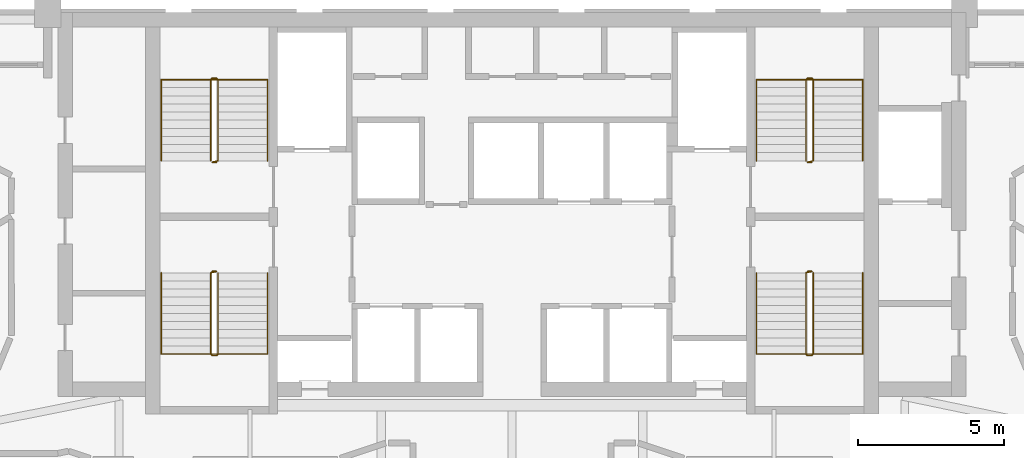
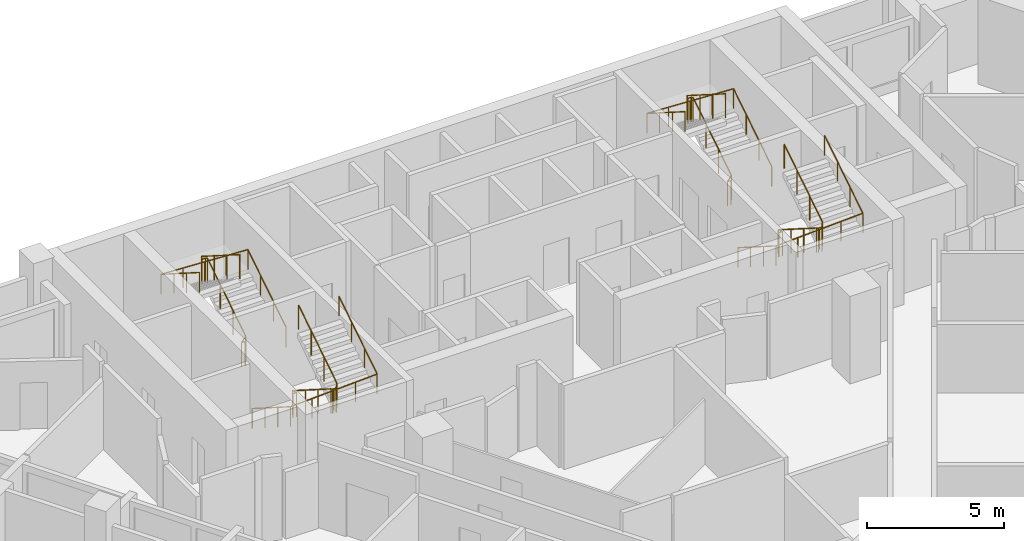
# One storey, part 10 of 10: 8 railings.
"""IFC4 building model written with IfcOpenShell, lengths in metres."""

import ifcopenshell
import ifcopenshell.guid

model = None  # the IFC model being written
_history = None  # IfcOwnerHistory: only IFC2X3 demands one
_inside = {}  # id of a spatial element -> (the spatial element, [elements in it])
_under = {}  # id of a project, library or spatial element -> (it, [spatial elements below it])
_declared = {}  # id of a project -> (the project, [libraries it declares])
_typed = {}  # id of a type object -> (the type object, [elements of that type])
_made_of = {}  # id of a material, layer set ... -> (it, [elements and type objects made of it])


def new_model(schema):
    """Start an empty IFC model of exactly this schema.

    Asked for "IFC4X3", IfcOpenShell would pick the latest addendum, in which some entities
    have other attributes; the version numbers below select the first issue.
    IFC2X3 requires an IfcOwnerHistory on every rooted entity: one is made here for all.
    """
    global model, _history
    if schema == "IFC4X3":
        model = ifcopenshell.file(schema_version=(4, 3, 0, 0))
    else:
        model = ifcopenshell.file(schema=schema)
    _inside.clear()
    _under.clear()
    _declared.clear()
    _typed.clear()
    _made_of.clear()
    _history = None
    if model.schema == "IFC2X3":
        org = make("IfcOrganization", Name="unknown")
        user = make(
            "IfcPersonAndOrganization",
            ThePerson=make("IfcPerson", FamilyName="unknown"),
            TheOrganization=org,
        )
        app = make(
            "IfcApplication",
            ApplicationDeveloper=org,
            Version="unknown",
            ApplicationFullName="unknown",
            ApplicationIdentifier="unknown",
        )
        _history = make(
            "IfcOwnerHistory",
            OwningUser=user,
            OwningApplication=app,
            ChangeAction="ADDED",
            CreationDate=0,
        )
    return model


def make(cls, **values):
    """One entity of the class cls with the attributes given. An attribute that is None is left unset."""
    return model.create_entity(
        cls, **{name: value for name, value in values.items() if value is not None}
    )


def rooted(cls, **values):
    """An entity with a GlobalId (a new one), such as an element, a storey or a relation."""
    return make(cls, GlobalId=ifcopenshell.guid.new(), OwnerHistory=_history, **values)


def si_unit(unit_type, name, prefix=None):
    """IfcSIUnit, for example si_unit("LENGTHUNIT", "METRE", prefix="MILLI")."""
    return make("IfcSIUnit", UnitType=unit_type, Prefix=prefix, Name=name)


def assignment(units):
    """IfcUnitAssignment: the units of a project."""
    return None if units is None else make("IfcUnitAssignment", Units=units)


def point(xyz):
    """IfcCartesianPoint."""
    return None if xyz is None else make("IfcCartesianPoint", Coordinates=xyz)


def direction(xyz):
    """IfcDirection."""
    return None if xyz is None else make("IfcDirection", DirectionRatios=xyz)


def frame(location, z_axis=None, x_axis=None):
    """IfcAxis2Placement3D, a coordinate frame: its origin and axes. An axis left out is left unset."""
    return make(
        "IfcAxis2Placement3D",
        Location=point(location),
        Axis=direction(z_axis),
        RefDirection=direction(x_axis),
    )


def frame_2d(location, x_axis=None):
    """IfcAxis2Placement2D, a coordinate frame in the plane: its origin and x axis."""
    return make(
        "IfcAxis2Placement2D", Location=point(location), RefDirection=direction(x_axis)
    )


def origin():
    """The frame at (0, 0, 0) with its axes left unset."""
    return frame((0.0, 0.0, 0.0))


def origin_2d():
    """The frame at (0, 0) in the plane with its x axis left unset."""
    return frame_2d((0.0, 0.0))


def place(relative_to, where):
    """IfcLocalPlacement: puts the frame where relative to a parent placement (None: the world)."""
    return make(
        "IfcLocalPlacement", PlacementRelTo=relative_to, RelativePlacement=where
    )


def context(
    kind, dimensions, precision=None, world=None, true_north=None, identifier=None
):
    """IfcGeometricRepresentationContext, for example the 3D "Model" context."""
    return make(
        "IfcGeometricRepresentationContext",
        ContextIdentifier=identifier,
        ContextType=kind,
        CoordinateSpaceDimension=dimensions,
        Precision=precision,
        WorldCoordinateSystem=world,
        TrueNorth=true_north,
    )


def subcontext(parent, identifier, kind, view, scale=None):
    """IfcGeometricRepresentationSubContext, for example "Body" below "Model"."""
    return make(
        "IfcGeometricRepresentationSubContext",
        ContextIdentifier=identifier,
        ContextType=kind,
        ParentContext=parent,
        TargetScale=scale,
        TargetView=view,
    )


def project(units=None, contexts=None):
    """IfcProject with its units and contexts."""
    return rooted(
        "IfcProject",
        Name="project",
        RepresentationContexts=contexts,
        UnitsInContext=assignment(units),
    )


def spatial(cls, under=None, at=None, **own):
    """A site, building, storey or space (cls), placed at a placement, below another one or the project."""
    s = rooted(cls, ObjectPlacement=at, **own)
    if under is not None:
        _under.setdefault(under.id(), (under, []))[1].append(s)
    return s


def profile(cls, at=None, kind="AREA", **sizes):
    """A parametric profile (cls). Its sizes go by their IFC names, for example OverallWidth=200.0."""
    return make(cls, ProfileType=kind, Position=at, **sizes)


def circle(**sizes):
    """IfcCircleProfileDef."""
    return profile("IfcCircleProfileDef", **sizes)


def extrude(swept, where, along, depth):
    """IfcExtrudedAreaSolid: the profile swept, set in the frame where, extruded along a direction by depth."""
    return make(
        "IfcExtrudedAreaSolid",
        SweptArea=swept,
        Position=where,
        ExtrudedDirection=direction(along),
        Depth=depth,
    )


def shape(context_of_items, identifier, shape_type, items):
    """IfcShapeRepresentation: the items that make up one representation, for example the "Body"."""
    return make(
        "IfcShapeRepresentation",
        ContextOfItems=context_of_items,
        RepresentationIdentifier=identifier,
        RepresentationType=shape_type,
        Items=items,
    )


def material(Name=None, Category=None):
    """IfcMaterial."""
    return make("IfcMaterial", Name=Name, Category=Category)


def made_of(thing, what):
    """Note that an element or type object is made of a material, layer set ...; save() writes the relation."""
    if what is not None:
        _made_of.setdefault(what.id(), (what, []))[1].append(thing)
    return thing


def type_object(cls, material=None, **own):
    """A type object (cls), such as IfcWallType, which elements share."""
    return made_of(rooted(cls, **own), material)


def element(
    cls,
    number,
    at=None,
    inside=None,
    cuts=None,
    type_object=None,
    material=None,
    context=None,
    identifier="Body",
    shape_type=None,
    held_by="IfcProductDefinitionShape",
    body=None,
    shapes=None,
    **own,
):
    """One element of the class cls, such as IfcWall. Its Tag is "e" and its number.

    at: its placement. inside: the storey or other place that contains it. cuts: it is an
    opening in that element (IfcRelVoidsElement). A single representation is given by context,
    identifier, shape_type and body (its items); several are given by shapes. held_by: the class
    of the entity that holds the representations. save() writes the other relations.
    """
    e = rooted(cls, Tag="e%d" % number, ObjectPlacement=at, **own)
    if body is not None:
        shapes = [shape(context, identifier, shape_type, body)]
    if shapes is not None:
        e.Representation = make(held_by, Representations=shapes)
    if inside is not None:
        _inside.setdefault(inside.id(), (inside, []))[1].append(e)
    if cuts is not None:
        rooted(
            "IfcRelVoidsElement", RelatingBuildingElement=cuts, RelatedOpeningElement=e
        )
    if type_object is not None:
        _typed.setdefault(type_object.id(), (type_object, []))[1].append(e)
    return made_of(e, material)


def aggregate(whole, parts):
    """IfcRelAggregates: a whole, such as a stair, and the parts it consists of."""
    return rooted("IfcRelAggregates", RelatingObject=whole, RelatedObjects=parts)


def save(model, path):
    """Write the relations noted so far, then the file.

    IfcRelAggregates (storeys below a building ...), IfcRelContainedInSpatialStructure (elements
    in a storey), IfcRelDefinesByType, IfcRelAssociatesMaterial and IfcRelDeclares: one each for
    every whole, place, type object, material and project.
    """
    for whole, parts in _under.values():
        aggregate(whole, parts)
    for where, things in _inside.values():
        rooted(
            "IfcRelContainedInSpatialStructure",
            RelatedElements=things,
            RelatingStructure=where,
        )
    for kind, things in _typed.values():
        rooted("IfcRelDefinesByType", RelatedObjects=things, RelatingType=kind)
    for what, things in _made_of.values():
        rooted("IfcRelAssociatesMaterial", RelatedObjects=things, RelatingMaterial=what)
    for by, libraries in _declared.values():
        rooted("IfcRelDeclares", RelatingContext=by, RelatedDefinitions=libraries)
    model.write(path)


model = new_model("IFC4")

# Units and contexts
model_context = context("Model", 3, precision=1e-05, world=origin(), true_north=direction((0.0, 1.0)))
body_context = subcontext(model_context, "Body", "Model", "MODEL_VIEW")
ifc_project = project(units=[si_unit("LENGTHUNIT", "METRE"), si_unit("AREAUNIT", "SQUARE_METRE"), si_unit("VOLUMEUNIT", "CUBIC_METRE"), si_unit("PLANEANGLEUNIT", "RADIAN"), si_unit("MASSUNIT", "GRAM", prefix="KILO")], contexts=[model_context])

# Site, building, storey
site_placement = place(None, origin())
site = spatial("IfcSite", under=ifc_project, at=site_placement, CompositionType="ELEMENT")
building_placement = place(site_placement, origin())
building = spatial("IfcBuilding", under=site, at=building_placement, Name="Calabash Gate Tower", CompositionType="ELEMENT")
storey_placement = place(building_placement, frame((0.0, 0.0, 152.39990234375)))
storey = spatial("IfcBuildingStorey", under=building, at=storey_placement, Name="L35", CompositionType="ELEMENT", Elevation=152.39990234375)

# Railings
ifc_material_1 = material(Name="Black powder-coated steel balusters", Category="steel")
railing_type_1 = type_object("IfcRailingType", Name="Stair guard RL1100", PredefinedType="GUARDRAIL", material=ifc_material_1)
railing_1_placement = place(storey_placement, frame((-10.14990234375, 13.902587890625, 0.0)))
element("IfcRailing", 1, at=railing_1_placement, inside=storey, type_object=railing_type_1, Name="L35 ST1 stair guard 1", PredefinedType="GUARDRAIL", context=body_context, shape_type="SweptSolid", body=[
    extrude(circle(Radius=0.02392578125, at=origin_2d()), frame((0.0, 0.0, 1.076171875), z_axis=(-1.0, 0.0, 0.0), x_axis=(0.0, -1.0, 0.0)), (0.0, 0.0, 1.0), 0.150146484375),
    extrude(circle(Radius=0.02392578125, at=origin_2d()), frame((-0.150146484375, 0.0, 1.076171875), z_axis=(0.735094037398, 0.183997897029, 0.652519371414), x_axis=(-0.242814311512, 0.970072785993, 0.0)), (0.0, 0.0, 1.0), 0.27197265625),
    extrude(circle(Radius=0.02392578125, at=origin_2d()), frame((0.0498046875, 0.050048828125, 1.25341796875), z_axis=(0.0, 0.844041424197, 0.536277982245), x_axis=(-1.0, 0.0, 0.0)), (0.0, 0.0, 1.0), 3.3056640625),
    extrude(circle(Radius=0.02392578125, at=origin_2d()), frame((0.0498046875, 2.840087890625, 3.0263671875), z_axis=(-0.707106781187, 0.707106781187, 0.0), x_axis=(-0.707106781187, -0.707106781187, 0.0)), (0.0, 0.0, 1.0), 0.0703125),
    extrude(circle(Radius=0.02392578125, at=origin_2d()), frame((0.0, 2.889892578125, 3.0263671875), z_axis=(-1.0, 0.0, 0.0), x_axis=(0.0, -1.0, 0.0)), (0.0, 0.0, 1.0), 0.150146484375),
    extrude(circle(Radius=0.02392578125, at=origin_2d()), frame((-0.150146484375, 2.889892578125, 3.0263671875), z_axis=(-0.262321481514, -0.261041864531, 0.929001929653), x_axis=(0.705375805398, -0.708833529934, 0.0)), (0.0, 0.0, 1.0), 0.190673828125),
    extrude(circle(Radius=0.02392578125, at=origin_2d()), frame((-0.2001953125, 2.840087890625, 3.20361328125), z_axis=(0.0, -0.844041424197, 0.536277982245), x_axis=(1.0, 0.0, 0.0)), (0.0, 0.0, 1.0), 3.3056640625),
    extrude(circle(Radius=0.02099609375, at=origin_2d()), origin(), (0.0, 0.0, 1.0), 1.052001953125),
    extrude(circle(Radius=0.02099609375, at=origin_2d()), frame((-0.150146484375, 0.0, 0.0)), (0.0, 0.0, 1.0), 1.052001953125),
    extrude(circle(Radius=0.02099609375, at=origin_2d()), frame((0.0498046875, 0.050048828125, 0.177490234375)), (0.0, 0.0, 1.0), 1.052001953125),
    extrude(circle(Radius=0.02099609375, at=origin_2d()), frame((0.0498046875, 0.97998046875, 0.768310546875)), (0.0, 0.0, 1.0), 1.052001953125),
    extrude(circle(Radius=0.02099609375, at=origin_2d()), frame((0.0498046875, 1.91015625, 1.359375)), (0.0, 0.0, 1.0), 1.052001953125),
    extrude(circle(Radius=0.02099609375, at=origin_2d()), frame((0.0498046875, 2.840087890625, 1.9501953125)), (0.0, 0.0, 1.0), 1.052001953125),
    extrude(circle(Radius=0.02099609375, at=origin_2d()), frame((0.0, 2.889892578125, 1.9501953125)), (0.0, 0.0, 1.0), 1.052001953125),
    extrude(circle(Radius=0.02099609375, at=origin_2d()), frame((-0.150146484375, 2.889892578125, 1.9501953125)), (0.0, 0.0, 1.0), 1.052001953125),
    extrude(circle(Radius=0.02099609375, at=origin_2d()), frame((-0.2001953125, 2.840087890625, 2.12744140625)), (0.0, 0.0, 1.0), 1.052001953125),
    extrude(circle(Radius=0.02099609375, at=origin_2d()), frame((-0.2001953125, 1.91015625, 2.71826171875)), (0.0, 0.0, 1.0), 1.052001953125),
    extrude(circle(Radius=0.02099609375, at=origin_2d()), frame((-0.2001953125, 0.97998046875, 3.309326171875)), (0.0, 0.0, 1.0), 1.052001953125),
    extrude(circle(Radius=0.02099609375, at=origin_2d()), frame((-0.2001953125, 0.050048828125, 3.900146484375)), (0.0, 0.0, 1.0), 1.052001953125),
])
railing_2_placement = place(storey_placement, frame((-10.300048828125, 10.152587890625, 0.0)))
element("IfcRailing", 2, at=railing_2_placement, inside=storey, type_object=railing_type_1, Name="L35 ST2 stair guard 1", PredefinedType="GUARDRAIL", context=body_context, shape_type="SweptSolid", body=[
    extrude(circle(Radius=0.02392578125, at=origin_2d()), frame((0.0, 0.0, 1.076171875), z_axis=(1.0, 0.0, 0.0), x_axis=(0.0, 1.0, 0.0)), (0.0, 0.0, 1.0), 0.150146484375),
    extrude(circle(Radius=0.02392578125, at=origin_2d()), frame((0.150146484375, 0.0, 1.076171875), z_axis=(-0.735506176693, -0.183876544173, 0.652089012751), x_axis=(0.242535625036, -0.970142500145, 0.0)), (0.0, 0.0, 1.0), 0.272216796875),
    extrude(circle(Radius=0.02392578125, at=origin_2d()), frame((-0.050048828125, -0.050048828125, 1.25341796875), z_axis=(0.0, -0.844041424197, 0.536277982245), x_axis=(1.0, 0.0, 0.0)), (0.0, 0.0, 1.0), 3.3056640625),
    extrude(circle(Radius=0.02392578125, at=origin_2d()), frame((-0.050048828125, -2.840087890625, 3.0263671875), z_axis=(0.708833529934, -0.705375805398, 0.0), x_axis=(0.705375805398, 0.708833529934, 0.0)), (0.0, 0.0, 1.0), 0.070556640625),
    extrude(circle(Radius=0.02392578125, at=origin_2d()), frame((0.0, -2.889892578125, 3.0263671875), z_axis=(1.0, 0.0, 0.0), x_axis=(0.0, 1.0, 0.0)), (0.0, 0.0, 1.0), 0.150146484375),
    extrude(circle(Radius=0.02392578125, at=origin_2d()), frame((0.150146484375, -2.889892578125, 3.0263671875), z_axis=(0.261129318932, 0.261129318932, 0.929313164433), x_axis=(-0.707106781187, 0.707106781187, 0.0)), (0.0, 0.0, 1.0), 0.190673828125),
    extrude(circle(Radius=0.02392578125, at=origin_2d()), frame((0.199951171875, -2.840087890625, 3.20361328125), z_axis=(0.0, 0.844041424197, 0.536277982245), x_axis=(-1.0, 0.0, 0.0)), (0.0, 0.0, 1.0), 3.3056640625),
    extrude(circle(Radius=0.02099609375, at=origin_2d()), origin(), (0.0, 0.0, 1.0), 1.052001953125),
    extrude(circle(Radius=0.02099609375, at=origin_2d()), frame((0.150146484375, 0.0, 0.0)), (0.0, 0.0, 1.0), 1.052001953125),
    extrude(circle(Radius=0.02099609375, at=origin_2d()), frame((-0.050048828125, -0.050048828125, 0.177490234375)), (0.0, 0.0, 1.0), 1.052001953125),
    extrude(circle(Radius=0.02099609375, at=origin_2d()), frame((-0.050048828125, -0.97998046875, 0.768310546875)), (0.0, 0.0, 1.0), 1.052001953125),
    extrude(circle(Radius=0.02099609375, at=origin_2d()), frame((-0.050048828125, -1.91015625, 1.359375)), (0.0, 0.0, 1.0), 1.052001953125),
    extrude(circle(Radius=0.02099609375, at=origin_2d()), frame((-0.050048828125, -2.840087890625, 1.9501953125)), (0.0, 0.0, 1.0), 1.052001953125),
    extrude(circle(Radius=0.02099609375, at=origin_2d()), frame((0.0, -2.889892578125, 1.9501953125)), (0.0, 0.0, 1.0), 1.052001953125),
    extrude(circle(Radius=0.02099609375, at=origin_2d()), frame((0.150146484375, -2.889892578125, 1.9501953125)), (0.0, 0.0, 1.0), 1.052001953125),
    extrude(circle(Radius=0.02099609375, at=origin_2d()), frame((0.199951171875, -2.840087890625, 2.12744140625)), (0.0, 0.0, 1.0), 1.052001953125),
    extrude(circle(Radius=0.02099609375, at=origin_2d()), frame((0.199951171875, -1.91015625, 2.71826171875)), (0.0, 0.0, 1.0), 1.052001953125),
    extrude(circle(Radius=0.02099609375, at=origin_2d()), frame((0.199951171875, -0.97998046875, 3.309326171875)), (0.0, 0.0, 1.0), 1.052001953125),
    extrude(circle(Radius=0.02099609375, at=origin_2d()), frame((0.199951171875, -0.050048828125, 3.900146484375)), (0.0, 0.0, 1.0), 1.052001953125),
])
railing_3_placement = place(storey_placement, frame((10.300048828125, 13.902587890625, 0.0)))
element("IfcRailing", 3, at=railing_3_placement, inside=storey, type_object=railing_type_1, Name="L35 ST3 stair guard 1", PredefinedType="GUARDRAIL", context=body_context, shape_type="SweptSolid", body=[
    extrude(circle(Radius=0.02392578125, at=origin_2d()), frame((0.0, 0.0, 1.076171875), z_axis=(-1.0, 0.0, 0.0), x_axis=(0.0, -1.0, 0.0)), (0.0, 0.0, 1.0), 0.150146484375),
    extrude(circle(Radius=0.02392578125, at=origin_2d()), frame((-0.150146484375, 0.0, 1.076171875), z_axis=(0.735506176693, 0.183876544173, 0.652089012751), x_axis=(-0.242535625036, 0.970142500145, 0.0)), (0.0, 0.0, 1.0), 0.272216796875),
    extrude(circle(Radius=0.02392578125, at=origin_2d()), frame((0.050048828125, 0.050048828125, 1.25341796875), z_axis=(0.0, 0.844041424197, 0.536277982245), x_axis=(-1.0, 0.0, 0.0)), (0.0, 0.0, 1.0), 3.3056640625),
    extrude(circle(Radius=0.02392578125, at=origin_2d()), frame((0.050048828125, 2.840087890625, 3.0263671875), z_axis=(-0.708833529934, 0.705375805398, 0.0), x_axis=(-0.705375805398, -0.708833529934, 0.0)), (0.0, 0.0, 1.0), 0.070556640625),
    extrude(circle(Radius=0.02392578125, at=origin_2d()), frame((0.0, 2.889892578125, 3.0263671875), z_axis=(-1.0, 0.0, 0.0), x_axis=(0.0, -1.0, 0.0)), (0.0, 0.0, 1.0), 0.150146484375),
    extrude(circle(Radius=0.02392578125, at=origin_2d()), frame((-0.150146484375, 2.889892578125, 3.0263671875), z_axis=(-0.261129318932, -0.261129318932, 0.929313164433), x_axis=(0.707106781187, -0.707106781187, 0.0)), (0.0, 0.0, 1.0), 0.190673828125),
    extrude(circle(Radius=0.02392578125, at=origin_2d()), frame((-0.199951171875, 2.840087890625, 3.20361328125), z_axis=(0.0, -0.844041424197, 0.536277982245), x_axis=(1.0, 0.0, 0.0)), (0.0, 0.0, 1.0), 3.3056640625),
    extrude(circle(Radius=0.02099609375, at=origin_2d()), origin(), (0.0, 0.0, 1.0), 1.052001953125),
    extrude(circle(Radius=0.02099609375, at=origin_2d()), frame((-0.150146484375, 0.0, 0.0)), (0.0, 0.0, 1.0), 1.052001953125),
    extrude(circle(Radius=0.02099609375, at=origin_2d()), frame((0.050048828125, 0.050048828125, 0.177490234375)), (0.0, 0.0, 1.0), 1.052001953125),
    extrude(circle(Radius=0.02099609375, at=origin_2d()), frame((0.050048828125, 0.97998046875, 0.768310546875)), (0.0, 0.0, 1.0), 1.052001953125),
    extrude(circle(Radius=0.02099609375, at=origin_2d()), frame((0.050048828125, 1.91015625, 1.359375)), (0.0, 0.0, 1.0), 1.052001953125),
    extrude(circle(Radius=0.02099609375, at=origin_2d()), frame((0.050048828125, 2.840087890625, 1.9501953125)), (0.0, 0.0, 1.0), 1.052001953125),
    extrude(circle(Radius=0.02099609375, at=origin_2d()), frame((0.0, 2.889892578125, 1.9501953125)), (0.0, 0.0, 1.0), 1.052001953125),
    extrude(circle(Radius=0.02099609375, at=origin_2d()), frame((-0.150146484375, 2.889892578125, 1.9501953125)), (0.0, 0.0, 1.0), 1.052001953125),
    extrude(circle(Radius=0.02099609375, at=origin_2d()), frame((-0.199951171875, 2.840087890625, 2.12744140625)), (0.0, 0.0, 1.0), 1.052001953125),
    extrude(circle(Radius=0.02099609375, at=origin_2d()), frame((-0.199951171875, 1.91015625, 2.71826171875)), (0.0, 0.0, 1.0), 1.052001953125),
    extrude(circle(Radius=0.02099609375, at=origin_2d()), frame((-0.199951171875, 0.97998046875, 3.309326171875)), (0.0, 0.0, 1.0), 1.052001953125),
    extrude(circle(Radius=0.02099609375, at=origin_2d()), frame((-0.199951171875, 0.050048828125, 3.900146484375)), (0.0, 0.0, 1.0), 1.052001953125),
])
railing_4_placement = place(storey_placement, frame((10.14990234375, 10.152587890625, 0.0)))
element("IfcRailing", 4, at=railing_4_placement, inside=storey, type_object=railing_type_1, Name="L35 ST4 stair guard 1", PredefinedType="GUARDRAIL", context=body_context, shape_type="SweptSolid", body=[
    extrude(circle(Radius=0.02392578125, at=origin_2d()), frame((0.0, 0.0, 1.076171875), z_axis=(1.0, 0.0, 0.0), x_axis=(0.0, 1.0, 0.0)), (0.0, 0.0, 1.0), 0.150146484375),
    extrude(circle(Radius=0.02392578125, at=origin_2d()), frame((0.150146484375, 0.0, 1.076171875), z_axis=(-0.735094037398, -0.183997897029, 0.652519371414), x_axis=(0.242814311512, -0.970072785993, 0.0)), (0.0, 0.0, 1.0), 0.27197265625),
    extrude(circle(Radius=0.02392578125, at=origin_2d()), frame((-0.0498046875, -0.050048828125, 1.25341796875), z_axis=(0.0, -0.844041424197, 0.536277982245), x_axis=(1.0, 0.0, 0.0)), (0.0, 0.0, 1.0), 3.3056640625),
    extrude(circle(Radius=0.02392578125, at=origin_2d()), frame((-0.0498046875, -2.840087890625, 3.0263671875), z_axis=(0.707106781187, -0.707106781187, 0.0), x_axis=(0.707106781187, 0.707106781187, 0.0)), (0.0, 0.0, 1.0), 0.0703125),
    extrude(circle(Radius=0.02392578125, at=origin_2d()), frame((0.0, -2.889892578125, 3.0263671875), z_axis=(1.0, 0.0, 0.0), x_axis=(0.0, 1.0, 0.0)), (0.0, 0.0, 1.0), 0.150146484375),
    extrude(circle(Radius=0.02392578125, at=origin_2d()), frame((0.150146484375, -2.889892578125, 3.0263671875), z_axis=(0.262321481514, 0.261041864531, 0.929001929653), x_axis=(-0.705375805398, 0.708833529934, 0.0)), (0.0, 0.0, 1.0), 0.190673828125),
    extrude(circle(Radius=0.02392578125, at=origin_2d()), frame((0.2001953125, -2.840087890625, 3.20361328125), z_axis=(0.0, 0.844041424197, 0.536277982245), x_axis=(-1.0, 0.0, 0.0)), (0.0, 0.0, 1.0), 3.3056640625),
    extrude(circle(Radius=0.02099609375, at=origin_2d()), origin(), (0.0, 0.0, 1.0), 1.052001953125),
    extrude(circle(Radius=0.02099609375, at=origin_2d()), frame((0.150146484375, 0.0, 0.0)), (0.0, 0.0, 1.0), 1.052001953125),
    extrude(circle(Radius=0.02099609375, at=origin_2d()), frame((-0.0498046875, -0.050048828125, 0.177490234375)), (0.0, 0.0, 1.0), 1.052001953125),
    extrude(circle(Radius=0.02099609375, at=origin_2d()), frame((-0.0498046875, -0.97998046875, 0.768310546875)), (0.0, 0.0, 1.0), 1.052001953125),
    extrude(circle(Radius=0.02099609375, at=origin_2d()), frame((-0.0498046875, -1.91015625, 1.359375)), (0.0, 0.0, 1.0), 1.052001953125),
    extrude(circle(Radius=0.02099609375, at=origin_2d()), frame((-0.0498046875, -2.840087890625, 1.9501953125)), (0.0, 0.0, 1.0), 1.052001953125),
    extrude(circle(Radius=0.02099609375, at=origin_2d()), frame((0.0, -2.889892578125, 1.9501953125)), (0.0, 0.0, 1.0), 1.052001953125),
    extrude(circle(Radius=0.02099609375, at=origin_2d()), frame((0.150146484375, -2.889892578125, 1.9501953125)), (0.0, 0.0, 1.0), 1.052001953125),
    extrude(circle(Radius=0.02099609375, at=origin_2d()), frame((0.2001953125, -2.840087890625, 2.12744140625)), (0.0, 0.0, 1.0), 1.052001953125),
    extrude(circle(Radius=0.02099609375, at=origin_2d()), frame((0.2001953125, -1.91015625, 2.71826171875)), (0.0, 0.0, 1.0), 1.052001953125),
    extrude(circle(Radius=0.02099609375, at=origin_2d()), frame((0.2001953125, -0.97998046875, 3.309326171875)), (0.0, 0.0, 1.0), 1.052001953125),
    extrude(circle(Radius=0.02099609375, at=origin_2d()), frame((0.2001953125, -0.050048828125, 3.900146484375)), (0.0, 0.0, 1.0), 1.052001953125),
])
ifc_material_2 = material(Name="Black powder-coated steel tube 48 mm", Category="steel")
railing_type_2 = type_object("IfcRailingType", Name="Stair handrail RL900", PredefinedType="HANDRAIL", material=ifc_material_2)
railing_5_placement = place(storey_placement, frame((-8.39990234375, 13.95263671875, 0.177490234375)))
element("IfcRailing", 5, at=railing_5_placement, inside=storey, type_object=railing_type_2, Name="L35 ST1 stair handrail 1", PredefinedType="HANDRAIL", context=body_context, shape_type="SweptSolid", body=[
    extrude(circle(Radius=0.02392578125, at=origin_2d()), frame((0.0, 0.0, 0.8759765625), z_axis=(0.0, 0.844041424197, 0.536277982245), x_axis=(-1.0, 0.0, 0.0)), (0.0, 0.0, 1.0), 3.3056640625),
    extrude(circle(Radius=0.02392578125, at=origin_2d()), frame((0.0, 2.7900390625, 2.6484375), z_axis=(-0.998823110844, 0.0, 0.048501476722), x_axis=(0.0, -1.0, 0.0)), (0.0, 0.0, 1.0), 3.654541015625),
    extrude(circle(Radius=0.02392578125, at=origin_2d()), frame((-3.650146484375, 2.7900390625, 2.82568359375), z_axis=(0.0, -0.844041424197, 0.536277982245), x_axis=(1.0, 0.0, 0.0)), (0.0, 0.0, 1.0), 3.3056640625),
    extrude(circle(Radius=0.02099609375, at=origin_2d()), origin(), (0.0, 0.0, 1.0), 0.851806640625),
    extrude(circle(Radius=0.02099609375, at=origin_2d()), frame((0.0, 0.929931640625, 0.5908203125)), (0.0, 0.0, 1.0), 0.851806640625),
    extrude(circle(Radius=0.02099609375, at=origin_2d()), frame((0.0, 1.860107421875, 1.181884765625)), (0.0, 0.0, 1.0), 0.851806640625),
    extrude(circle(Radius=0.02099609375, at=origin_2d()), frame((0.0, 2.7900390625, 1.772705078125)), (0.0, 0.0, 1.0), 0.851806640625),
    extrude(circle(Radius=0.02099609375, at=origin_2d()), frame((-0.91259765625, 2.7900390625, 1.81689453125)), (0.0, 0.0, 1.0), 0.851806640625),
    extrude(circle(Radius=0.02099609375, at=origin_2d()), frame((-1.8251953125, 2.7900390625, 1.861328125)), (0.0, 0.0, 1.0), 0.851806640625),
    extrude(circle(Radius=0.02099609375, at=origin_2d()), frame((-2.737548828125, 2.7900390625, 1.90576171875)), (0.0, 0.0, 1.0), 0.851806640625),
    extrude(circle(Radius=0.02099609375, at=origin_2d()), frame((-3.650146484375, 2.7900390625, 1.949951171875)), (0.0, 0.0, 1.0), 0.851806640625),
    extrude(circle(Radius=0.02099609375, at=origin_2d()), frame((-3.650146484375, 1.860107421875, 2.540771484375)), (0.0, 0.0, 1.0), 0.851806640625),
    extrude(circle(Radius=0.02099609375, at=origin_2d()), frame((-3.650146484375, 0.929931640625, 3.1318359375)), (0.0, 0.0, 1.0), 0.851806640625),
    extrude(circle(Radius=0.02099609375, at=origin_2d()), frame((-3.650146484375, 0.0, 3.72265625)), (0.0, 0.0, 1.0), 0.851806640625),
])
railing_6_placement = place(storey_placement, frame((-12.050048828125, 10.1025390625, 0.177490234375)))
element("IfcRailing", 6, at=railing_6_placement, inside=storey, type_object=railing_type_2, Name="L35 ST2 stair handrail 1", PredefinedType="HANDRAIL", context=body_context, shape_type="SweptSolid", body=[
    extrude(circle(Radius=0.02392578125, at=origin_2d()), frame((0.0, 0.0, 0.8759765625), z_axis=(0.0, -0.844041424197, 0.536277982245), x_axis=(1.0, 0.0, 0.0)), (0.0, 0.0, 1.0), 3.3056640625),
    extrude(circle(Radius=0.02392578125, at=origin_2d()), frame((0.0, -2.7900390625, 2.6484375), z_axis=(0.998823110844, 0.0, 0.048501476722), x_axis=(0.0, 1.0, 0.0)), (0.0, 0.0, 1.0), 3.654541015625),
    extrude(circle(Radius=0.02392578125, at=origin_2d()), frame((3.650146484375, -2.7900390625, 2.82568359375), z_axis=(0.0, 0.844041424197, 0.536277982245), x_axis=(-1.0, 0.0, 0.0)), (0.0, 0.0, 1.0), 3.3056640625),
    extrude(circle(Radius=0.02099609375, at=origin_2d()), origin(), (0.0, 0.0, 1.0), 0.851806640625),
    extrude(circle(Radius=0.02099609375, at=origin_2d()), frame((0.0, -0.929931640625, 0.5908203125)), (0.0, 0.0, 1.0), 0.851806640625),
    extrude(circle(Radius=0.02099609375, at=origin_2d()), frame((0.0, -1.860107421875, 1.181884765625)), (0.0, 0.0, 1.0), 0.851806640625),
    extrude(circle(Radius=0.02099609375, at=origin_2d()), frame((0.0, -2.7900390625, 1.772705078125)), (0.0, 0.0, 1.0), 0.851806640625),
    extrude(circle(Radius=0.02099609375, at=origin_2d()), frame((0.91259765625, -2.7900390625, 1.81689453125)), (0.0, 0.0, 1.0), 0.851806640625),
    extrude(circle(Radius=0.02099609375, at=origin_2d()), frame((1.8251953125, -2.7900390625, 1.861328125)), (0.0, 0.0, 1.0), 0.851806640625),
    extrude(circle(Radius=0.02099609375, at=origin_2d()), frame((2.737548828125, -2.7900390625, 1.90576171875)), (0.0, 0.0, 1.0), 0.851806640625),
    extrude(circle(Radius=0.02099609375, at=origin_2d()), frame((3.650146484375, -2.7900390625, 1.949951171875)), (0.0, 0.0, 1.0), 0.851806640625),
    extrude(circle(Radius=0.02099609375, at=origin_2d()), frame((3.650146484375, -1.860107421875, 2.540771484375)), (0.0, 0.0, 1.0), 0.851806640625),
    extrude(circle(Radius=0.02099609375, at=origin_2d()), frame((3.650146484375, -0.929931640625, 3.1318359375)), (0.0, 0.0, 1.0), 0.851806640625),
    extrude(circle(Radius=0.02099609375, at=origin_2d()), frame((3.650146484375, 0.0, 3.72265625)), (0.0, 0.0, 1.0), 0.851806640625),
])
railing_7_placement = place(storey_placement, frame((12.050048828125, 13.95263671875, 0.177490234375)))
element("IfcRailing", 7, at=railing_7_placement, inside=storey, type_object=railing_type_2, Name="L35 ST3 stair handrail 1", PredefinedType="HANDRAIL", context=body_context, shape_type="SweptSolid", body=[
    extrude(circle(Radius=0.02392578125, at=origin_2d()), frame((0.0, 0.0, 0.8759765625), z_axis=(0.0, 0.844041424197, 0.536277982245), x_axis=(-1.0, 0.0, 0.0)), (0.0, 0.0, 1.0), 3.3056640625),
    extrude(circle(Radius=0.02392578125, at=origin_2d()), frame((0.0, 2.7900390625, 2.6484375), z_axis=(-0.998823110844, 0.0, 0.048501476722), x_axis=(0.0, -1.0, 0.0)), (0.0, 0.0, 1.0), 3.654541015625),
    extrude(circle(Radius=0.02392578125, at=origin_2d()), frame((-3.650146484375, 2.7900390625, 2.82568359375), z_axis=(0.0, -0.844041424197, 0.536277982245), x_axis=(1.0, 0.0, 0.0)), (0.0, 0.0, 1.0), 3.3056640625),
    extrude(circle(Radius=0.02099609375, at=origin_2d()), origin(), (0.0, 0.0, 1.0), 0.851806640625),
    extrude(circle(Radius=0.02099609375, at=origin_2d()), frame((0.0, 0.929931640625, 0.5908203125)), (0.0, 0.0, 1.0), 0.851806640625),
    extrude(circle(Radius=0.02099609375, at=origin_2d()), frame((0.0, 1.860107421875, 1.181884765625)), (0.0, 0.0, 1.0), 0.851806640625),
    extrude(circle(Radius=0.02099609375, at=origin_2d()), frame((0.0, 2.7900390625, 1.772705078125)), (0.0, 0.0, 1.0), 0.851806640625),
    extrude(circle(Radius=0.02099609375, at=origin_2d()), frame((-0.91259765625, 2.7900390625, 1.81689453125)), (0.0, 0.0, 1.0), 0.851806640625),
    extrude(circle(Radius=0.02099609375, at=origin_2d()), frame((-1.8251953125, 2.7900390625, 1.861328125)), (0.0, 0.0, 1.0), 0.851806640625),
    extrude(circle(Radius=0.02099609375, at=origin_2d()), frame((-2.737548828125, 2.7900390625, 1.90576171875)), (0.0, 0.0, 1.0), 0.851806640625),
    extrude(circle(Radius=0.02099609375, at=origin_2d()), frame((-3.650146484375, 2.7900390625, 1.949951171875)), (0.0, 0.0, 1.0), 0.851806640625),
    extrude(circle(Radius=0.02099609375, at=origin_2d()), frame((-3.650146484375, 1.860107421875, 2.540771484375)), (0.0, 0.0, 1.0), 0.851806640625),
    extrude(circle(Radius=0.02099609375, at=origin_2d()), frame((-3.650146484375, 0.929931640625, 3.1318359375)), (0.0, 0.0, 1.0), 0.851806640625),
    extrude(circle(Radius=0.02099609375, at=origin_2d()), frame((-3.650146484375, 0.0, 3.72265625)), (0.0, 0.0, 1.0), 0.851806640625),
])
railing_8_placement = place(storey_placement, frame((8.39990234375, 10.1025390625, 0.177490234375)))
element("IfcRailing", 8, at=railing_8_placement, inside=storey, type_object=railing_type_2, Name="L35 ST4 stair handrail 1", PredefinedType="HANDRAIL", context=body_context, shape_type="SweptSolid", body=[
    extrude(circle(Radius=0.02392578125, at=origin_2d()), frame((0.0, 0.0, 0.8759765625), z_axis=(0.0, -0.844041424197, 0.536277982245), x_axis=(1.0, 0.0, 0.0)), (0.0, 0.0, 1.0), 3.3056640625),
    extrude(circle(Radius=0.02392578125, at=origin_2d()), frame((0.0, -2.7900390625, 2.6484375), z_axis=(0.998823110844, 0.0, 0.048501476722), x_axis=(0.0, 1.0, 0.0)), (0.0, 0.0, 1.0), 3.654541015625),
    extrude(circle(Radius=0.02392578125, at=origin_2d()), frame((3.650146484375, -2.7900390625, 2.82568359375), z_axis=(0.0, 0.844041424197, 0.536277982245), x_axis=(-1.0, 0.0, 0.0)), (0.0, 0.0, 1.0), 3.3056640625),
    extrude(circle(Radius=0.02099609375, at=origin_2d()), origin(), (0.0, 0.0, 1.0), 0.851806640625),
    extrude(circle(Radius=0.02099609375, at=origin_2d()), frame((0.0, -0.929931640625, 0.5908203125)), (0.0, 0.0, 1.0), 0.851806640625),
    extrude(circle(Radius=0.02099609375, at=origin_2d()), frame((0.0, -1.860107421875, 1.181884765625)), (0.0, 0.0, 1.0), 0.851806640625),
    extrude(circle(Radius=0.02099609375, at=origin_2d()), frame((0.0, -2.7900390625, 1.772705078125)), (0.0, 0.0, 1.0), 0.851806640625),
    extrude(circle(Radius=0.02099609375, at=origin_2d()), frame((0.91259765625, -2.7900390625, 1.81689453125)), (0.0, 0.0, 1.0), 0.851806640625),
    extrude(circle(Radius=0.02099609375, at=origin_2d()), frame((1.8251953125, -2.7900390625, 1.861328125)), (0.0, 0.0, 1.0), 0.851806640625),
    extrude(circle(Radius=0.02099609375, at=origin_2d()), frame((2.737548828125, -2.7900390625, 1.90576171875)), (0.0, 0.0, 1.0), 0.851806640625),
    extrude(circle(Radius=0.02099609375, at=origin_2d()), frame((3.650146484375, -2.7900390625, 1.949951171875)), (0.0, 0.0, 1.0), 0.851806640625),
    extrude(circle(Radius=0.02099609375, at=origin_2d()), frame((3.650146484375, -1.860107421875, 2.540771484375)), (0.0, 0.0, 1.0), 0.851806640625),
    extrude(circle(Radius=0.02099609375, at=origin_2d()), frame((3.650146484375, -0.929931640625, 3.1318359375)), (0.0, 0.0, 1.0), 0.851806640625),
    extrude(circle(Radius=0.02099609375, at=origin_2d()), frame((3.650146484375, 0.0, 3.72265625)), (0.0, 0.0, 1.0), 0.851806640625),
])

save(model, "model.ifc")
